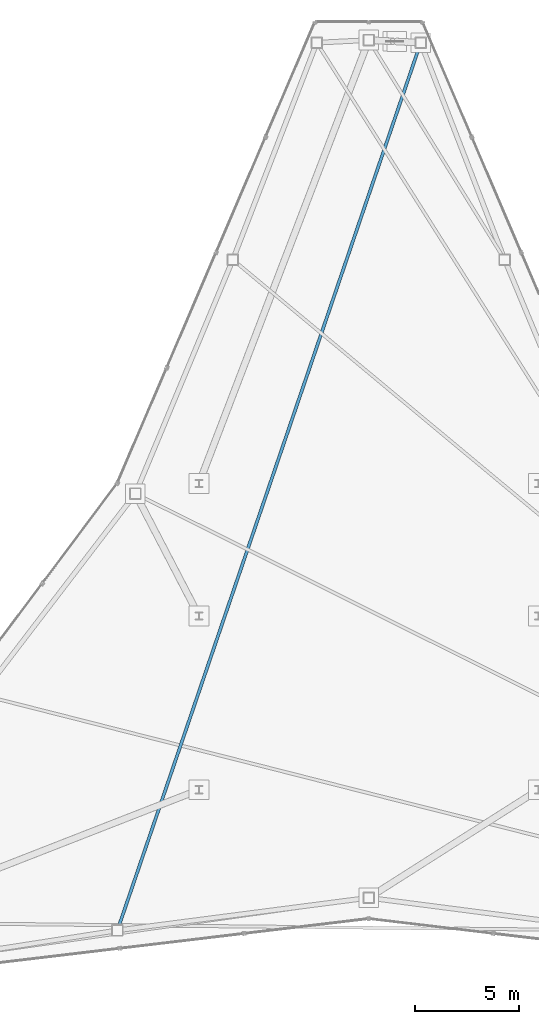
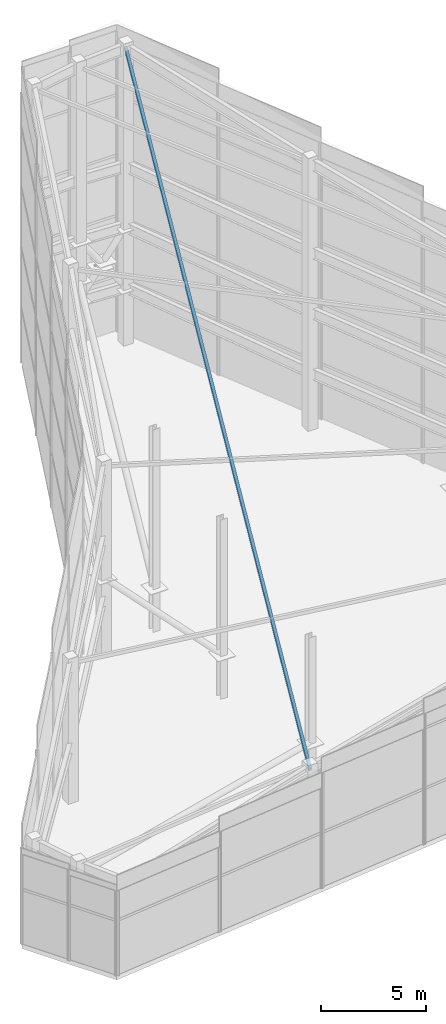
# One storey, part 7 of 17: 1 member.
"""IFC4 building model written with IfcOpenShell, lengths in metres."""

from ifc_helpers import new_model, si_unit, direction, frame, origin, origin_2d, place, context, subcontext, project, spatial, hollow_rectangle, extrude, source, transform, mapped, material, material_profile, profile_set, type_object, type_shapes, element, save


model = new_model("IFC4")

# Units and contexts
model_context = context("Model", 3, precision=1e-05, world=origin(), true_north=direction((0.0, 1.0)))
body_context = subcontext(model_context, "Body", "Model", "MODEL_VIEW")
ifc_project = project(units=[si_unit("LENGTHUNIT", "METRE"), si_unit("AREAUNIT", "SQUARE_METRE"), si_unit("VOLUMEUNIT", "CUBIC_METRE"), si_unit("PLANEANGLEUNIT", "RADIAN"), si_unit("MASSUNIT", "GRAM", prefix="KILO")], contexts=[model_context])

# Site, building, storey
site_placement = place(None, origin())
site = spatial("IfcSite", under=ifc_project, at=site_placement, CompositionType="ELEMENT")
building_placement = place(site_placement, origin())
building = spatial("IfcBuilding", under=site, at=building_placement, Name="Varakhsha Concourse Tower", CompositionType="ELEMENT")
storey_placement = place(building_placement, frame((0.0, 0.0, 294.800048828125)))
storey = spatial("IfcBuildingStorey", under=building, at=storey_placement, Name="RF", CompositionType="ELEMENT", Elevation=294.800048828125)

# Member
ifc_material = material(Name="Structural Steel ASTM A500 Grade C", Category="steel")
ifc_material_profile = material_profile(ifc_material, hollow_rectangle(XDim=0.14990234375, YDim=0.199951171875, WallThickness=0.010009765625, at=origin_2d()), Name="HSS 200x150x10")
ifc_profile_set = profile_set([ifc_material_profile], Name="Structural Steel ASTM A500 Grade C")
member_type = type_object("IfcMemberType", Name="MB-CROWN-PURLIN", PredefinedType="PURLIN", material=ifc_profile_set)
shared_shape = source(origin(), body_context, "Body", "SweptSolid", [
    extrude(hollow_rectangle(XDim=0.14990234375, YDim=0.199951171875, WallThickness=0.010009765625, at=origin_2d()), origin(), (0.0, 0.0, 1.0), 46.552490234375),
])
type_shapes(member_type, [shared_shape])
member_placement = place(storey_placement, frame((42.510498046875, 52.48876953125, 17.03955078125), z_axis=(-0.314712822828, -0.921078722745, -0.229281106187), x_axis=(0.94628758847, -0.323326150979, 0.0)))
element("IfcMember", 1, at=member_placement, inside=storey, type_object=member_type, Name="Slanted Crown Roof Purlin PR08", PredefinedType="PURLIN", context=body_context, shape_type="MappedRepresentation", body=[
    mapped(shared_shape, transform((0.0, 0.0, 0.0), scale=1.0)),
])

save(model, "model.ifc")
